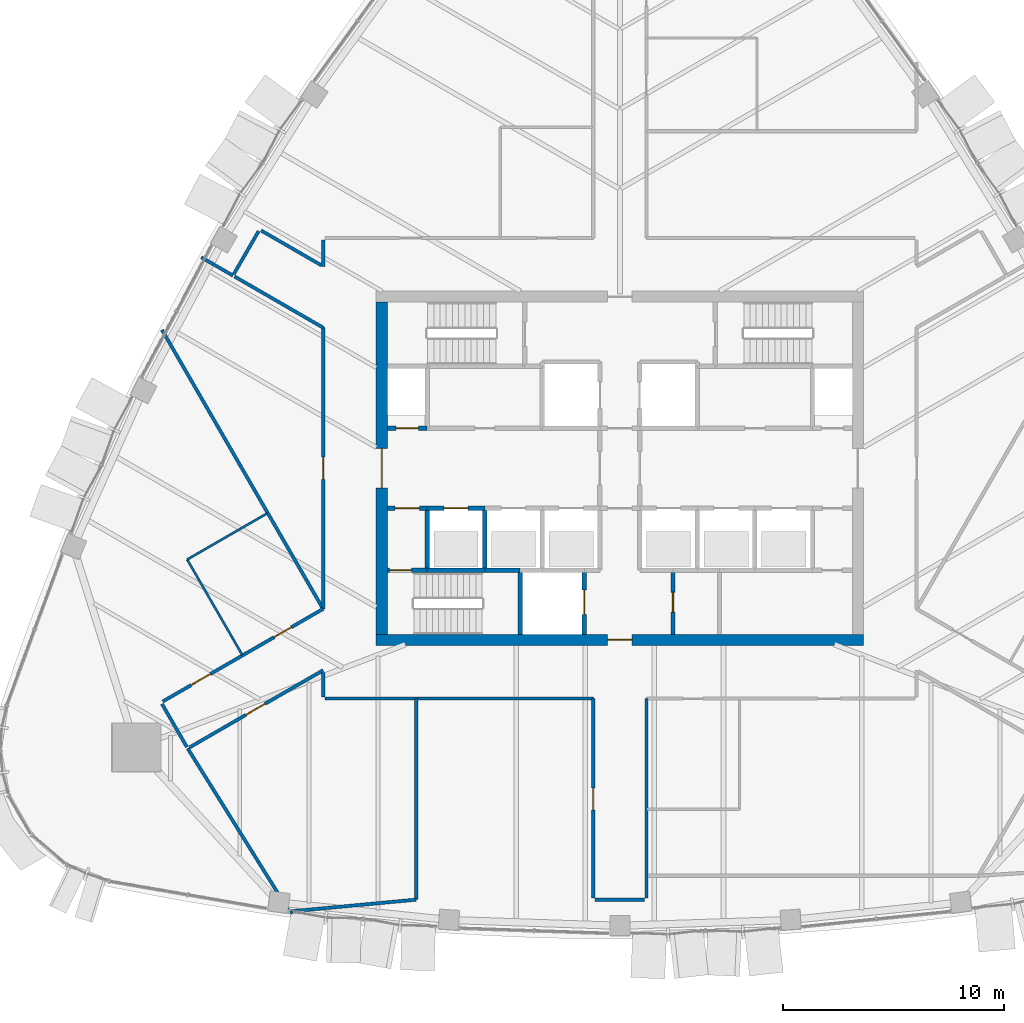
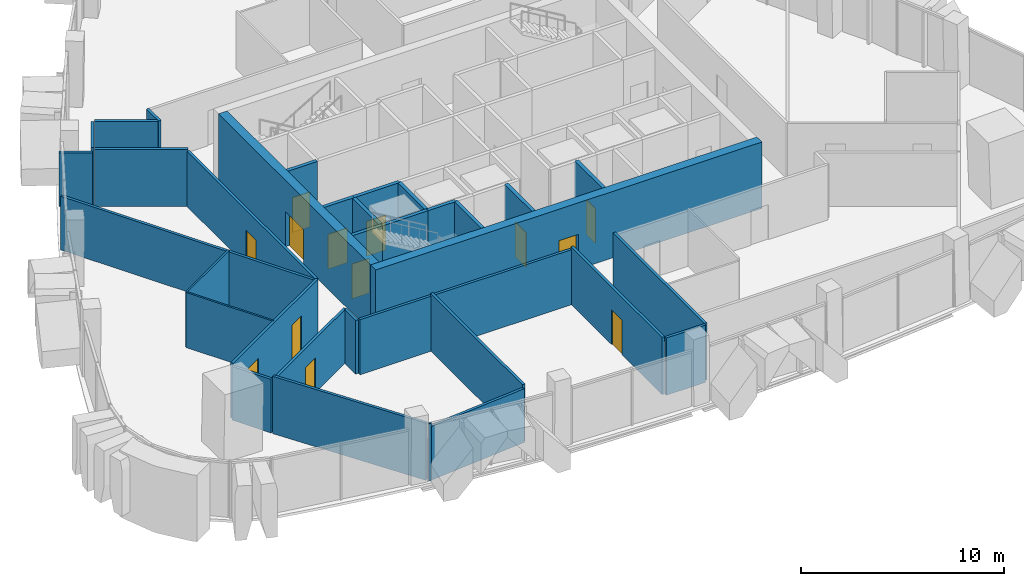
# One storey, part 11 of 18: 34 walls, 13 doors, 13 openings.
"""IFC4 building model written with IfcOpenShell, lengths in metres."""

import ifcopenshell
import ifcopenshell.guid

model = None  # the IFC model being written
_history = None  # IfcOwnerHistory: only IFC2X3 demands one
_inside = {}  # id of a spatial element -> (the spatial element, [elements in it])
_under = {}  # id of a project, library or spatial element -> (it, [spatial elements below it])
_declared = {}  # id of a project -> (the project, [libraries it declares])
_typed = {}  # id of a type object -> (the type object, [elements of that type])
_made_of = {}  # id of a material, layer set ... -> (it, [elements and type objects made of it])


def new_model(schema):
    """Start an empty IFC model of exactly this schema.

    Asked for "IFC4X3", IfcOpenShell would pick the latest addendum, in which some entities
    have other attributes; the version numbers below select the first issue.
    IFC2X3 requires an IfcOwnerHistory on every rooted entity: one is made here for all.
    """
    global model, _history
    if schema == "IFC4X3":
        model = ifcopenshell.file(schema_version=(4, 3, 0, 0))
    else:
        model = ifcopenshell.file(schema=schema)
    _inside.clear()
    _under.clear()
    _declared.clear()
    _typed.clear()
    _made_of.clear()
    _history = None
    if model.schema == "IFC2X3":
        org = make("IfcOrganization", Name="unknown")
        user = make(
            "IfcPersonAndOrganization",
            ThePerson=make("IfcPerson", FamilyName="unknown"),
            TheOrganization=org,
        )
        app = make(
            "IfcApplication",
            ApplicationDeveloper=org,
            Version="unknown",
            ApplicationFullName="unknown",
            ApplicationIdentifier="unknown",
        )
        _history = make(
            "IfcOwnerHistory",
            OwningUser=user,
            OwningApplication=app,
            ChangeAction="ADDED",
            CreationDate=0,
        )
    return model


def make(cls, **values):
    """One entity of the class cls with the attributes given. An attribute that is None is left unset."""
    return model.create_entity(
        cls, **{name: value for name, value in values.items() if value is not None}
    )


def rooted(cls, **values):
    """An entity with a GlobalId (a new one), such as an element, a storey or a relation."""
    return make(cls, GlobalId=ifcopenshell.guid.new(), OwnerHistory=_history, **values)


def si_unit(unit_type, name, prefix=None):
    """IfcSIUnit, for example si_unit("LENGTHUNIT", "METRE", prefix="MILLI")."""
    return make("IfcSIUnit", UnitType=unit_type, Prefix=prefix, Name=name)


def assignment(units):
    """IfcUnitAssignment: the units of a project."""
    return None if units is None else make("IfcUnitAssignment", Units=units)


def point(xyz):
    """IfcCartesianPoint."""
    return None if xyz is None else make("IfcCartesianPoint", Coordinates=xyz)


def direction(xyz):
    """IfcDirection."""
    return None if xyz is None else make("IfcDirection", DirectionRatios=xyz)


def frame(location, z_axis=None, x_axis=None):
    """IfcAxis2Placement3D, a coordinate frame: its origin and axes. An axis left out is left unset."""
    return make(
        "IfcAxis2Placement3D",
        Location=point(location),
        Axis=direction(z_axis),
        RefDirection=direction(x_axis),
    )


def frame_2d(location, x_axis=None):
    """IfcAxis2Placement2D, a coordinate frame in the plane: its origin and x axis."""
    return make(
        "IfcAxis2Placement2D", Location=point(location), RefDirection=direction(x_axis)
    )


def origin():
    """The frame at (0, 0, 0) with its axes left unset."""
    return frame((0.0, 0.0, 0.0))


def place(relative_to, where):
    """IfcLocalPlacement: puts the frame where relative to a parent placement (None: the world)."""
    return make(
        "IfcLocalPlacement", PlacementRelTo=relative_to, RelativePlacement=where
    )


def context(
    kind, dimensions, precision=None, world=None, true_north=None, identifier=None
):
    """IfcGeometricRepresentationContext, for example the 3D "Model" context."""
    return make(
        "IfcGeometricRepresentationContext",
        ContextIdentifier=identifier,
        ContextType=kind,
        CoordinateSpaceDimension=dimensions,
        Precision=precision,
        WorldCoordinateSystem=world,
        TrueNorth=true_north,
    )


def subcontext(parent, identifier, kind, view, scale=None):
    """IfcGeometricRepresentationSubContext, for example "Body" below "Model"."""
    return make(
        "IfcGeometricRepresentationSubContext",
        ContextIdentifier=identifier,
        ContextType=kind,
        ParentContext=parent,
        TargetScale=scale,
        TargetView=view,
    )


def project(units=None, contexts=None):
    """IfcProject with its units and contexts."""
    return rooted(
        "IfcProject",
        Name="project",
        RepresentationContexts=contexts,
        UnitsInContext=assignment(units),
    )


def spatial(cls, under=None, at=None, **own):
    """A site, building, storey or space (cls), placed at a placement, below another one or the project."""
    s = rooted(cls, ObjectPlacement=at, **own)
    if under is not None:
        _under.setdefault(under.id(), (under, []))[1].append(s)
    return s


def profile(cls, at=None, kind="AREA", **sizes):
    """A parametric profile (cls). Its sizes go by their IFC names, for example OverallWidth=200.0."""
    return make(cls, ProfileType=kind, Position=at, **sizes)


def rectangle(**sizes):
    """IfcRectangleProfileDef."""
    return profile("IfcRectangleProfileDef", **sizes)


def extrude(swept, where, along, depth):
    """IfcExtrudedAreaSolid: the profile swept, set in the frame where, extruded along a direction by depth."""
    return make(
        "IfcExtrudedAreaSolid",
        SweptArea=swept,
        Position=where,
        ExtrudedDirection=direction(along),
        Depth=depth,
    )


def shape(context_of_items, identifier, shape_type, items):
    """IfcShapeRepresentation: the items that make up one representation, for example the "Body"."""
    return make(
        "IfcShapeRepresentation",
        ContextOfItems=context_of_items,
        RepresentationIdentifier=identifier,
        RepresentationType=shape_type,
        Items=items,
    )


def material(Name=None, Category=None):
    """IfcMaterial."""
    return make("IfcMaterial", Name=Name, Category=Category)


def layer(
    of_material, thickness, ventilated=None, Name=None, Category=None, Priority=None
):
    """IfcMaterialLayer: one layer of a wall or slab, of a material (None: an air gap)."""
    return make(
        "IfcMaterialLayer",
        Material=of_material,
        LayerThickness=thickness,
        IsVentilated=ventilated,
        Name=Name,
        Category=Category,
        Priority=Priority,
    )


def layer_set(layers, Name=None):
    """IfcMaterialLayerSet."""
    return make("IfcMaterialLayerSet", MaterialLayers=layers, LayerSetName=Name)


def made_of(thing, what):
    """Note that an element or type object is made of a material, layer set ...; save() writes the relation."""
    if what is not None:
        _made_of.setdefault(what.id(), (what, []))[1].append(thing)
    return thing


def type_object(cls, material=None, **own):
    """A type object (cls), such as IfcWallType, which elements share."""
    return made_of(rooted(cls, **own), material)


def element(
    cls,
    number,
    at=None,
    inside=None,
    cuts=None,
    type_object=None,
    material=None,
    context=None,
    identifier="Body",
    shape_type=None,
    held_by="IfcProductDefinitionShape",
    body=None,
    shapes=None,
    **own,
):
    """One element of the class cls, such as IfcWall. Its Tag is "e" and its number.

    at: its placement. inside: the storey or other place that contains it. cuts: it is an
    opening in that element (IfcRelVoidsElement). A single representation is given by context,
    identifier, shape_type and body (its items); several are given by shapes. held_by: the class
    of the entity that holds the representations. save() writes the other relations.
    """
    e = rooted(cls, Tag="e%d" % number, ObjectPlacement=at, **own)
    if body is not None:
        shapes = [shape(context, identifier, shape_type, body)]
    if shapes is not None:
        e.Representation = make(held_by, Representations=shapes)
    if inside is not None:
        _inside.setdefault(inside.id(), (inside, []))[1].append(e)
    if cuts is not None:
        rooted(
            "IfcRelVoidsElement", RelatingBuildingElement=cuts, RelatedOpeningElement=e
        )
    if type_object is not None:
        _typed.setdefault(type_object.id(), (type_object, []))[1].append(e)
    return made_of(e, material)


def fill(opening, filler):
    """IfcRelFillsElement: the door or window that sits in an opening."""
    return rooted(
        "IfcRelFillsElement",
        RelatingOpeningElement=opening,
        RelatedBuildingElement=filler,
    )


def aggregate(whole, parts):
    """IfcRelAggregates: a whole, such as a stair, and the parts it consists of."""
    return rooted("IfcRelAggregates", RelatingObject=whole, RelatedObjects=parts)


def save(model, path):
    """Write the relations noted so far, then the file.

    IfcRelAggregates (storeys below a building ...), IfcRelContainedInSpatialStructure (elements
    in a storey), IfcRelDefinesByType, IfcRelAssociatesMaterial and IfcRelDeclares: one each for
    every whole, place, type object, material and project.
    """
    for whole, parts in _under.values():
        aggregate(whole, parts)
    for where, things in _inside.values():
        rooted(
            "IfcRelContainedInSpatialStructure",
            RelatedElements=things,
            RelatingStructure=where,
        )
    for kind, things in _typed.values():
        rooted("IfcRelDefinesByType", RelatedObjects=things, RelatingType=kind)
    for what, things in _made_of.values():
        rooted("IfcRelAssociatesMaterial", RelatedObjects=things, RelatingMaterial=what)
    for by, libraries in _declared.values():
        rooted("IfcRelDeclares", RelatingContext=by, RelatedDefinitions=libraries)
    model.write(path)


model = new_model("IFC4")

# Units and contexts
model_context = context("Model", 3, precision=1e-05, world=origin(), true_north=direction((0.0, 1.0)))
body_context = subcontext(model_context, "Body", "Model", "MODEL_VIEW")
ifc_project = project(units=[si_unit("LENGTHUNIT", "METRE"), si_unit("AREAUNIT", "SQUARE_METRE"), si_unit("VOLUMEUNIT", "CUBIC_METRE"), si_unit("PLANEANGLEUNIT", "RADIAN"), si_unit("MASSUNIT", "GRAM", prefix="KILO")], contexts=[model_context])

# Site, building, storey
site_placement = place(None, origin())
site = spatial("IfcSite", under=ifc_project, at=site_placement, CompositionType="ELEMENT")
building_placement = place(site_placement, origin())
building = spatial("IfcBuilding", under=site, at=building_placement, Name="Sierra Prisma Convention Tower", CompositionType="ELEMENT")
storey_placement = place(building_placement, frame((0.0, 0.0, 247.0)))
storey = spatial("IfcBuildingStorey", under=building, at=storey_placement, Name="L55", CompositionType="ELEMENT", Elevation=247.0)

# Walls
ifc_material_1 = material(Name="Gypsum board partition", Category="gypsum")
ifc_layer_1 = layer(ifc_material_1, 0.10009765625)
ifc_layer_set_1 = layer_set([ifc_layer_1], Name="Bathroom partition 100")
wall_type_1 = type_object("IfcWallType", Name="Bathroom partition 100", PredefinedType="PARTITIONING", material=ifc_layer_set_1)
wall_1_placement = place(storey_placement, frame((-17.05224609375, -8.4248046875, 0.0), z_axis=(0.0, 0.0, 1.0), x_axis=(-0.500011595943, 0.86601870876, 0.0)))
element("IfcWall", 1, at=wall_1_placement, inside=storey, type_object=wall_type_1, Name="Partition L55 bath 1", PredefinedType="PARTITIONING", context=body_context, shape_type="SweptSolid", body=[
    extrude(rectangle(XDim=4.97021484375, YDim=0.10009765625, at=frame_2d((2.485107421875, 0.0))), origin(), (0.0, 0.0, 1.0), 3.31689453125),
])
wall_2_placement = place(storey_placement, frame((-19.537353515625, -4.12060546875, 0.0), z_axis=(0.0, 0.0, 1.0), x_axis=(0.866029591389, 0.499992746786, 0.0)))
element("IfcWall", 2, at=wall_2_placement, inside=storey, type_object=wall_type_1, Name="Partition L55 bath 2", PredefinedType="PARTITIONING", context=body_context, shape_type="SweptSolid", body=[
    extrude(rectangle(XDim=4.169921875, YDim=0.10009765625, at=frame_2d((2.0849609375, 0.0))), origin(), (0.0, 0.0, 1.0), 3.31689453125),
])

# Wall, opening, door
ifc_material_2 = material(Name="Concrete C30/37", Category="concrete")
ifc_layer_2 = layer(ifc_material_2, 0.199951171875)
ifc_layer_set_2 = layer_set([ifc_layer_2], Name="Core wall RC 200 C30/37")
wall_type_2 = type_object("IfcWallType", Name="Core wall RC 200 C30/37", PredefinedType="SOLIDWALL", material=ifc_layer_set_2)
wall_3_placement = place(storey_placement, frame((-10.5, -4.60009765625, 0.0), z_axis=(0.0, 0.0, 1.0), x_axis=(1.0, 0.0, 0.0)))
wall_3 = element("IfcWall", 3, at=wall_3_placement, inside=storey, type_object=wall_type_2, Name="Core wall L55 1", PredefinedType="SOLIDWALL", context=body_context, shape_type="SweptSolid", body=[
    extrude(rectangle(XDim=1.800048828125, YDim=0.199951171875, at=frame_2d((0.89990234375, 0.0))), origin(), (0.0, 0.0, 1.0), 3.85009765625),
])
opening_1_placement = place(wall_3_placement, frame((0.10009765625, 0.0, 0.0)))
opening_1 = element("IfcOpeningElement", 4, at=opening_1_placement, cuts=wall_3, Name="Opening L55-D017", PredefinedType="OPENING", context=body_context, shape_type="SweptSolid", body=[
    extrude(rectangle(XDim=1.0, YDim=2.10009765625, at=frame_2d((0.5, 1.050048828125))), frame((0.0, 0.10009765625, 0.0), z_axis=(0.0, -1.0, 0.0), x_axis=(1.0, 0.0, 0.0)), (0.0, 0.0, 1.0), 0.199951171875),
])
ifc_material_3 = material(Name="Steel fire door leaf", Category="steel")
door_type_1 = type_object("IfcDoorType", Name="Door 1000x2100 FD90S", OperationType="SINGLE_SWING_LEFT", PredefinedType="DOOR", material=ifc_material_3)
door_1_placement = place(opening_1_placement, origin())
door_1 = element("IfcDoor", 5, at=door_1_placement, inside=storey, type_object=door_type_1, Name="Door L55 32", OperationType="SINGLE_SWING_LEFT", OverallHeight=2.10009765625, OverallWidth=1.0, PredefinedType="DOOR", context=body_context, shape_type="SweptSolid", body=[
    extrude(rectangle(XDim=1.0, YDim=2.10009765625, at=frame_2d((0.5, 1.050048828125))), frame((0.0, 0.02490234375, 0.0), z_axis=(0.0, -1.0, 0.0), x_axis=(1.0, 0.0, 0.0)), (0.0, 0.0, 1.0), 0.050048828125),
])
fill(opening_1, door_1)

wall_4_placement = place(storey_placement, frame((-10.5, -1.800048828125, 0.0), z_axis=(0.0, 0.0, 1.0), x_axis=(1.0, 0.0, 0.0)))
wall_4 = element("IfcWall", 6, at=wall_4_placement, inside=storey, type_object=wall_type_2, Name="Core wall L55 2", PredefinedType="SOLIDWALL", context=body_context, shape_type="SweptSolid", body=[
    extrude(rectangle(XDim=1.800048828125, YDim=0.199951171875, at=frame_2d((0.89990234375, 0.0))), origin(), (0.0, 0.0, 1.0), 3.85009765625),
])
opening_2_placement = place(wall_4_placement, frame((0.35009765625, 0.0, 0.0)))
opening_2 = element("IfcOpeningElement", 7, at=opening_2_placement, cuts=wall_4, Name="Opening L55-D012", PredefinedType="OPENING", context=body_context, shape_type="SweptSolid", body=[
    extrude(rectangle(XDim=1.10009765625, YDim=2.10009765625, at=frame_2d((0.550048828125, 1.050048828125))), frame((0.0, 0.10009765625, 0.0), z_axis=(0.0, -1.0, 0.0), x_axis=(1.0, 0.0, 0.0)), (0.0, 0.0, 1.0), 0.199951171875),
])
ifc_material_4 = material(Name="Steel fire door leaf", Category="steel")
door_type_2 = type_object("IfcDoorType", Name="Door 1100x2100 FD90S", OperationType="SINGLE_SWING_LEFT", PredefinedType="DOOR", material=ifc_material_4)
door_2_placement = place(opening_2_placement, origin())
door_2 = element("IfcDoor", 8, at=door_2_placement, inside=storey, type_object=door_type_2, Name="Door L55 27", OperationType="SINGLE_SWING_RIGHT", OverallHeight=2.10009765625, OverallWidth=1.10009765625, PredefinedType="DOOR", context=body_context, shape_type="SweptSolid", body=[
    extrude(rectangle(XDim=1.10009765625, YDim=2.10009765625, at=frame_2d((0.550048828125, 1.050048828125))), frame((0.0, 0.02490234375, 0.0), z_axis=(0.0, -1.0, 0.0), x_axis=(1.0, 0.0, 0.0)), (0.0, 0.0, 1.0), 0.050048828125),
])
fill(opening_2, door_2)

wall_5_placement = place(storey_placement, frame((-8.699951171875, 1.800048828125, 0.0), z_axis=(0.0, 0.0, 1.0), x_axis=(-1.0, 0.0, 0.0)))
wall_5 = element("IfcWall", 9, at=wall_5_placement, inside=storey, type_object=wall_type_2, Name="Core wall L55 3", PredefinedType="SOLIDWALL", context=body_context, shape_type="SweptSolid", body=[
    extrude(rectangle(XDim=1.800048828125, YDim=0.199951171875, at=frame_2d((0.89990234375, 0.0))), origin(), (0.0, 0.0, 1.0), 3.85009765625),
])
opening_3_placement = place(wall_5_placement, frame((0.39990234375, 0.0, 0.0)))
opening_3 = element("IfcOpeningElement", 10, at=opening_3_placement, cuts=wall_5, Name="Opening L55-D015", PredefinedType="OPENING", context=body_context, shape_type="SweptSolid", body=[
    extrude(rectangle(XDim=1.0, YDim=2.10009765625, at=frame_2d((0.5, 1.050048828125))), frame((0.0, 0.10009765625, 0.0), z_axis=(0.0, -1.0, 0.0), x_axis=(1.0, 0.0, 0.0)), (0.0, 0.0, 1.0), 0.199951171875),
])
ifc_material_5 = material(Name="Steel fire door leaf", Category="steel")
door_type_3 = type_object("IfcDoorType", Name="Door 1000x2100 FD60S", OperationType="SINGLE_SWING_LEFT", PredefinedType="DOOR", material=ifc_material_5)
door_3_placement = place(opening_3_placement, origin())
door_3 = element("IfcDoor", 11, at=door_3_placement, inside=storey, type_object=door_type_3, Name="Door L55 30", OperationType="SINGLE_SWING_RIGHT", OverallHeight=2.10009765625, OverallWidth=1.0, PredefinedType="DOOR", context=body_context, shape_type="SweptSolid", body=[
    extrude(rectangle(XDim=1.0, YDim=2.10009765625, at=frame_2d((0.5, 1.050048828125))), frame((0.0, 0.02490234375, 0.0), z_axis=(0.0, -1.0, 0.0), x_axis=(1.0, 0.0, 0.0)), (0.0, 0.0, 1.0), 0.050048828125),
])
fill(opening_3, door_3)

# Walls
wall_6_placement = place(storey_placement, frame((-8.699951171875, -4.60009765625, 0.0), z_axis=(0.0, 0.0, 1.0), x_axis=(1.0, 0.0, 0.0)))
element("IfcWall", 12, at=wall_6_placement, inside=storey, type_object=wall_type_2, Name="Core wall L55 5", PredefinedType="SOLIDWALL", context=body_context, shape_type="SweptSolid", body=[
    extrude(rectangle(XDim=2.599853515625, YDim=0.199951171875, at=frame_2d((1.2998046875, 0.0))), origin(), (0.0, 0.0, 1.0), 3.85009765625),
])
wall_7_placement = place(storey_placement, frame((-8.699951171875, -4.60009765625, 0.0), z_axis=(0.0, 0.0, 1.0), x_axis=(0.0, 1.0, 0.0)))
element("IfcWall", 13, at=wall_7_placement, inside=storey, type_object=wall_type_2, Name="Core wall L55 6", PredefinedType="SOLIDWALL", context=body_context, shape_type="SweptSolid", body=[
    extrude(rectangle(XDim=2.800048828125, YDim=0.199951171875, at=frame_2d((1.39990234375, 0.0))), origin(), (0.0, 0.0, 1.0), 3.85009765625),
])

# Wall, opening, door
wall_8_placement = place(storey_placement, frame((-8.699951171875, -1.800048828125, 0.0), z_axis=(0.0, 0.0, 1.0), x_axis=(1.0, 0.0, 0.0)))
wall_8 = element("IfcWall", 14, at=wall_8_placement, inside=storey, type_object=wall_type_2, Name="Core wall L55 7", PredefinedType="SOLIDWALL", context=body_context, shape_type="SweptSolid", body=[
    extrude(rectangle(XDim=2.599853515625, YDim=0.199951171875, at=frame_2d((1.2998046875, 0.0))), origin(), (0.0, 0.0, 1.0), 3.85009765625),
])
opening_4_placement = place(wall_8_placement, frame((0.75, 0.0, 0.0)))
opening_4 = element("IfcOpeningElement", 15, at=opening_4_placement, cuts=wall_8, Name="Opening L55-D001", PredefinedType="OPENING", context=body_context, shape_type="SweptSolid", body=[
    extrude(rectangle(XDim=1.10009765625, YDim=2.10009765625, at=frame_2d((0.550048828125, 1.050048828125))), frame((0.0, 0.10009765625, 0.0), z_axis=(0.0, -1.0, 0.0), x_axis=(1.0, 0.0, 0.0)), (0.0, 0.0, 1.0), 0.199951171875),
])
ifc_material_6 = material(Name="Steel fire door leaf", Category="steel")
door_type_4 = type_object("IfcDoorType", Name="Door 1100x2100 EI 90 sliding lift landing", OperationType="SLIDING_TO_LEFT", PredefinedType="DOOR", material=ifc_material_6)
door_4_placement = place(opening_4_placement, origin())
door_4 = element("IfcDoor", 16, at=door_4_placement, inside=storey, type_object=door_type_4, Name="Door L55 16", OperationType="SLIDING_TO_RIGHT", OverallHeight=2.10009765625, OverallWidth=1.10009765625, PredefinedType="DOOR", context=body_context, shape_type="SweptSolid", body=[
    extrude(rectangle(XDim=1.10009765625, YDim=2.10009765625, at=frame_2d((0.550048828125, 1.050048828125))), frame((0.0, 0.02490234375, 0.0), z_axis=(0.0, -1.0, 0.0), x_axis=(1.0, 0.0, 0.0)), (0.0, 0.0, 1.0), 0.050048828125),
])
fill(opening_4, door_4)

# Walls
wall_9_placement = place(storey_placement, frame((-6.10009765625, -4.60009765625, 0.0), z_axis=(0.0, 0.0, 1.0), x_axis=(1.0, 0.0, 0.0)))
element("IfcWall", 17, at=wall_9_placement, inside=storey, type_object=wall_type_2, Name="Core wall L55 11", PredefinedType="SOLIDWALL", context=body_context, shape_type="SweptSolid", body=[
    extrude(rectangle(XDim=1.60009765625, YDim=0.199951171875, at=frame_2d((0.800048828125, 0.0))), origin(), (0.0, 0.0, 1.0), 3.85009765625),
])
wall_10_placement = place(storey_placement, frame((-6.10009765625, -4.60009765625, 0.0), z_axis=(0.0, 0.0, 1.0), x_axis=(0.0, 1.0, 0.0)))
element("IfcWall", 18, at=wall_10_placement, inside=storey, type_object=wall_type_2, Name="Core wall L55 12", PredefinedType="SOLIDWALL", context=body_context, shape_type="SweptSolid", body=[
    extrude(rectangle(XDim=2.800048828125, YDim=0.199951171875, at=frame_2d((1.39990234375, 0.0))), origin(), (0.0, 0.0, 1.0), 3.85009765625),
])
wall_11_placement = place(storey_placement, frame((-4.5, -4.60009765625, 0.0), z_axis=(0.0, 0.0, 1.0), x_axis=(0.0, -1.0, 0.0)))
element("IfcWall", 19, at=wall_11_placement, inside=storey, type_object=wall_type_2, Name="Core wall L55 14", PredefinedType="SOLIDWALL", context=body_context, shape_type="SweptSolid", body=[
    extrude(rectangle(XDim=2.89990234375, YDim=0.199951171875, at=frame_2d((1.449951171875, 0.0))), origin(), (0.0, 0.0, 1.0), 3.85009765625),
])

# Wall, opening, door
wall_12_placement = place(storey_placement, frame((-1.60009765625, -7.5, 0.0), z_axis=(0.0, 0.0, 1.0), x_axis=(0.0, 1.0, 0.0)))
wall_12 = element("IfcWall", 20, at=wall_12_placement, inside=storey, type_object=wall_type_2, Name="Core wall L55 26", PredefinedType="SOLIDWALL", context=body_context, shape_type="SweptSolid", body=[
    extrude(rectangle(XDim=2.89990234375, YDim=0.199951171875, at=frame_2d((1.449951171875, 0.0))), origin(), (0.0, 0.0, 1.0), 3.85009765625),
])
opening_5_placement = place(wall_12_placement, frame((0.89990234375, 0.0, 0.0)))
opening_5 = element("IfcOpeningElement", 21, at=opening_5_placement, cuts=wall_12, Name="Opening L55-D009", PredefinedType="OPENING", context=body_context, shape_type="SweptSolid", body=[
    extrude(rectangle(XDim=1.10009765625, YDim=2.10009765625, at=frame_2d((0.550048828125, 1.050048828125))), frame((0.0, 0.10009765625, 0.0), z_axis=(0.0, -1.0, 0.0), x_axis=(1.0, 0.0, 0.0)), (0.0, 0.0, 1.0), 0.199951171875),
])
door_5_placement = place(opening_5_placement, origin())
door_5 = element("IfcDoor", 22, at=door_5_placement, inside=storey, type_object=door_type_4, Name="Door L55 24", OperationType="SLIDING_TO_LEFT", OverallHeight=2.10009765625, OverallWidth=1.10009765625, PredefinedType="DOOR", context=body_context, shape_type="SweptSolid", body=[
    extrude(rectangle(XDim=1.10009765625, YDim=2.10009765625, at=frame_2d((0.550048828125, 1.050048828125))), frame((0.0, 0.02490234375, 0.0), z_axis=(0.0, -1.0, 0.0), x_axis=(1.0, 0.0, 0.0)), (0.0, 0.0, 1.0), 0.050048828125),
])
fill(opening_5, door_5)

wall_13_placement = place(storey_placement, frame((2.39990234375, -4.60009765625, 0.0), z_axis=(0.0, 0.0, 1.0), x_axis=(0.0, -1.0, 0.0)))
wall_13 = element("IfcWall", 23, at=wall_13_placement, inside=storey, type_object=wall_type_2, Name="Core wall L55 40", PredefinedType="SOLIDWALL", context=body_context, shape_type="SweptSolid", body=[
    extrude(rectangle(XDim=2.89990234375, YDim=0.199951171875, at=frame_2d((1.449951171875, 0.0))), origin(), (0.0, 0.0, 1.0), 3.85009765625),
])
opening_6_placement = place(wall_13_placement, frame((1.0, 0.0, 0.0)))
opening_6 = element("IfcOpeningElement", 24, at=opening_6_placement, cuts=wall_13, Name="Opening L55-D024", PredefinedType="OPENING", context=body_context, shape_type="SweptSolid", body=[
    extrude(rectangle(XDim=0.89990234375, YDim=2.10009765625, at=frame_2d((0.449951171875, 1.050048828125))), frame((0.0, 0.10009765625, 0.0), z_axis=(0.0, -1.0, 0.0), x_axis=(1.0, 0.0, 0.0)), (0.0, 0.0, 1.0), 0.199951171875),
])
ifc_material_7 = material(Name="Steel fire door leaf", Category="steel")
door_type_5 = type_object("IfcDoorType", Name="Door 900x2100 FD30S", OperationType="SINGLE_SWING_LEFT", PredefinedType="DOOR", material=ifc_material_7)
door_6_placement = place(opening_6_placement, origin())
door_6 = element("IfcDoor", 25, at=door_6_placement, inside=storey, type_object=door_type_5, Name="Door L55 39", OperationType="SINGLE_SWING_LEFT", OverallHeight=2.10009765625, OverallWidth=0.89990234375, PredefinedType="DOOR", context=body_context, shape_type="SweptSolid", body=[
    extrude(rectangle(XDim=0.89990234375, YDim=2.10009765625, at=frame_2d((0.449951171875, 1.050048828125))), frame((0.0, 0.02490234375, 0.0), z_axis=(0.0, -1.0, 0.0), x_axis=(1.0, 0.0, 0.0)), (0.0, 0.0, 1.0), 0.050048828125),
])
fill(opening_6, door_6)

ifc_material_8 = material(Name="Concrete C50/60", Category="concrete")
ifc_layer_3 = layer(ifc_material_8, 0.5)
ifc_layer_set_3 = layer_set([ifc_layer_3], Name="Core wall RC 500 C50/60")
wall_type_3 = type_object("IfcWallType", Name="Core wall RC 500 C50/60", PredefinedType="SHEAR", material=ifc_layer_set_3)
wall_14_placement = place(storey_placement, frame((-11.0, -7.75, 0.0), z_axis=(0.0, 0.0, 1.0), x_axis=(1.0, 0.0, 0.0)))
wall_14 = element("IfcWall", 26, at=wall_14_placement, inside=storey, type_object=wall_type_3, Name="Core wall S L55", PredefinedType="SHEAR", context=body_context, shape_type="SweptSolid", body=[
    extrude(rectangle(XDim=22.0, YDim=0.5, at=frame_2d((11.0, 0.0))), origin(), (0.0, 0.0, 1.0), 4.0),
])
opening_7_placement = place(wall_14_placement, frame((10.449951171875, 0.0, 0.0)))
opening_7 = element("IfcOpeningElement", 27, at=opening_7_placement, cuts=wall_14, Name="Opening L55-D042", PredefinedType="OPENING", context=body_context, shape_type="SweptSolid", body=[
    extrude(rectangle(XDim=1.10009765625, YDim=2.10009765625, at=frame_2d((0.550048828125, 1.050048828125))), frame((0.0, 0.25, 0.0), z_axis=(0.0, -1.0, 0.0), x_axis=(1.0, 0.0, 0.0)), (0.0, 0.0, 1.0), 0.5),
])
ifc_material_9 = material(Name="Steel fire door leaf", Category="steel")
door_type_6 = type_object("IfcDoorType", Name="Door 1100x2100 FD30S", OperationType="SINGLE_SWING_LEFT", PredefinedType="DOOR", material=ifc_material_9)
door_7_placement = place(opening_7_placement, origin())
door_7 = element("IfcDoor", 28, at=door_7_placement, inside=storey, type_object=door_type_6, Name="Door L55 43", OperationType="SINGLE_SWING_LEFT", OverallHeight=2.10009765625, OverallWidth=1.10009765625, PredefinedType="DOOR", context=body_context, shape_type="SweptSolid", body=[
    extrude(rectangle(XDim=1.10009765625, YDim=2.10009765625, at=frame_2d((0.550048828125, 1.050048828125))), frame((0.0, 0.02490234375, 0.0), z_axis=(0.0, -1.0, 0.0), x_axis=(1.0, 0.0, 0.0)), (0.0, 0.0, 1.0), 0.050048828125),
])
fill(opening_7, door_7)

wall_15_placement = place(storey_placement, frame((-10.75, -7.5, 0.0), z_axis=(0.0, 0.0, 1.0), x_axis=(0.0, 1.0, 0.0)))
wall_15 = element("IfcWall", 29, at=wall_15_placement, inside=storey, type_object=wall_type_3, Name="Core wall W L55", PredefinedType="SHEAR", context=body_context, shape_type="SweptSolid", body=[
    extrude(rectangle(XDim=15.0, YDim=0.5, at=frame_2d((7.5, 0.0))), origin(), (0.0, 0.0, 1.0), 4.0),
])
opening_8_placement = place(wall_15_placement, frame((6.60009765625, 0.0, 0.0)))
opening_8 = element("IfcOpeningElement", 30, at=opening_8_placement, cuts=wall_15, Name="Opening L55-D043", PredefinedType="OPENING", context=body_context, shape_type="SweptSolid", body=[
    extrude(rectangle(XDim=1.800048828125, YDim=2.10009765625, at=frame_2d((0.89990234375, 1.050048828125))), frame((0.0, 0.25, 0.0), z_axis=(0.0, -1.0, 0.0), x_axis=(1.0, 0.0, 0.0)), (0.0, 0.0, 1.0), 0.5),
])
ifc_material_10 = material(Name="Steel fire door leaf", Category="steel")
door_type_7 = type_object("IfcDoorType", Name="Door 1800x2100 FD60S", OperationType="DOUBLE_DOOR_SINGLE_SWING", PredefinedType="DOOR", material=ifc_material_10)
door_8_placement = place(opening_8_placement, origin())
door_8 = element("IfcDoor", 31, at=door_8_placement, inside=storey, type_object=door_type_7, Name="Door L55 40", OperationType="DOUBLE_DOOR_SINGLE_SWING", OverallHeight=2.10009765625, OverallWidth=1.800048828125, PredefinedType="DOOR", context=body_context, shape_type="SweptSolid", body=[
    extrude(rectangle(XDim=1.800048828125, YDim=2.10009765625, at=frame_2d((0.89990234375, 1.050048828125))), frame((0.0, 0.02490234375, 0.0), z_axis=(0.0, -1.0, 0.0), x_axis=(1.0, 0.0, 0.0)), (0.0, 0.0, 1.0), 0.050048828125),
])
fill(opening_8, door_8)

# Wall
ifc_material_11 = material(Name="Gypsum board partition", Category="gypsum")
ifc_layer_4 = layer(ifc_material_11, 0.14990234375)
ifc_layer_set_4 = layer_set([ifc_layer_4], Name="Corridor wall 150 gypsum EI 60")
wall_type_4 = type_object("IfcWallType", Name="Corridor wall 150 gypsum EI 60", PredefinedType="PARTITIONING", material=ifc_layer_set_4)
wall_16_placement = place(storey_placement, frame((-20.674072265625, -10.642822265625, 0.0), z_axis=(0.0, 0.0, 1.0), x_axis=(0.49994888933, -0.866054910533, 0.0)))
element("IfcWall", 32, at=wall_16_placement, inside=storey, type_object=wall_type_4, Name="Partition L55 corr 1", PredefinedType="PARTITIONING", context=body_context, shape_type="SweptSolid", body=[
    extrude(rectangle(XDim=2.239990234375, YDim=0.14990234375, at=frame_2d((1.1201171875, 0.0))), origin(), (0.0, 0.0, 1.0), 3.23291015625),
])

# Wall, openings, doors
wall_17_placement = place(storey_placement, frame((-13.39990234375, -6.350830078125, 0.0), z_axis=(0.0, 0.0, 1.0), x_axis=(-0.866023751359, -0.500002862074, 0.0)))
wall_17 = element("IfcWall", 33, at=wall_17_placement, inside=storey, type_object=wall_type_4, Name="Partition L55 corr 2", PredefinedType="PARTITIONING", context=body_context, shape_type="SweptSolid", body=[
    extrude(rectangle(XDim=8.36572265625, YDim=0.14990234375, at=frame_2d((4.182861328125, 0.0))), origin(), (0.0, 0.0, 1.0), 3.31689453125),
])
opening_9_placement = place(wall_17_placement, frame((1.64990234375, 0.0, 0.0)))
opening_9 = element("IfcOpeningElement", 34, at=opening_9_placement, cuts=wall_17, Name="Opening L55-D032", PredefinedType="OPENING", context=body_context, shape_type="SweptSolid", body=[
    extrude(rectangle(XDim=0.89990234375, YDim=2.10009765625, at=frame_2d((0.449951171875, 1.050048828125))), frame((0.0, 0.074951171875, 0.0), z_axis=(0.0, -1.0, 0.0), x_axis=(1.0, 0.0, 0.0)), (0.0, 0.0, 1.0), 0.14990234375),
])
opening_10_placement = place(wall_17_placement, frame((5.872802734375, 0.0, 0.0)))
opening_10 = element("IfcOpeningElement", 35, at=opening_10_placement, cuts=wall_17, Name="Opening L55-D033", PredefinedType="OPENING", context=body_context, shape_type="SweptSolid", body=[
    extrude(rectangle(XDim=1.0, YDim=2.10009765625, at=frame_2d((0.5, 1.050048828125))), frame((0.0, 0.074951171875, 0.0), z_axis=(0.0, -1.0, 0.0), x_axis=(1.0, 0.0, 0.0)), (0.0, 0.0, 1.0), 0.14990234375),
])
ifc_material_12 = material(Name="Steel fire door leaf", Category="steel")
door_type_8 = type_object("IfcDoorType", Name="Door 1000x2100 FD30S", OperationType="SINGLE_SWING_LEFT", PredefinedType="DOOR", material=ifc_material_12)
door_9_placement = place(opening_10_placement, origin())
door_9 = element("IfcDoor", 36, at=door_9_placement, inside=storey, type_object=door_type_8, Name="Door L55 9", OperationType="SINGLE_SWING_LEFT", OverallHeight=2.10009765625, OverallWidth=1.0, PredefinedType="DOOR", context=body_context, shape_type="SweptSolid", body=[
    extrude(rectangle(XDim=1.0, YDim=2.10009765625, at=frame_2d((0.5, 1.050048828125))), frame((0.0, 0.02490234375, 0.0), z_axis=(0.0, -1.0, 0.0), x_axis=(1.0, 0.0, 0.0)), (0.0, 0.0, 1.0), 0.050048828125),
])
fill(opening_10, door_9)
door_10_placement = place(opening_9_placement, origin())
door_10 = element("IfcDoor", 37, at=door_10_placement, inside=storey, type_object=door_type_5, Name="Door L55 8", OperationType="SINGLE_SWING_RIGHT", OverallHeight=2.10009765625, OverallWidth=0.89990234375, PredefinedType="DOOR", context=body_context, shape_type="SweptSolid", body=[
    extrude(rectangle(XDim=0.89990234375, YDim=2.10009765625, at=frame_2d((0.449951171875, 1.050048828125))), frame((0.0, 0.02490234375, 0.0), z_axis=(0.0, -1.0, 0.0), x_axis=(1.0, 0.0, 0.0)), (0.0, 0.0, 1.0), 0.050048828125),
])
fill(opening_9, door_10)

# Wall, opening, door
wall_18_placement = place(storey_placement, frame((-19.44482421875, -12.612060546875, 0.0), z_axis=(0.0, 0.0, 1.0), x_axis=(0.866028321769, 0.499994945868, 0.0)))
wall_18 = element("IfcWall", 38, at=wall_18_placement, inside=storey, type_object=wall_type_4, Name="Partition L55 corr 3", PredefinedType="PARTITIONING", context=body_context, shape_type="SweptSolid", body=[
    extrude(rectangle(XDim=6.97998046875, YDim=0.14990234375, at=frame_2d((3.489990234375, 0.0))), origin(), (0.0, 0.0, 1.0), 3.23291015625),
])
opening_11_placement = place(wall_18_placement, frame((2.949951171875, 0.0, 0.0)))
opening_11 = element("IfcOpeningElement", 39, at=opening_11_placement, cuts=wall_18, Name="Opening L55-D034", PredefinedType="OPENING", context=body_context, shape_type="SweptSolid", body=[
    extrude(rectangle(XDim=1.0, YDim=2.10009765625, at=frame_2d((0.5, 1.050048828125))), frame((0.0, 0.074951171875, 0.0), z_axis=(0.0, -1.0, 0.0), x_axis=(1.0, 0.0, 0.0)), (0.0, 0.0, 1.0), 0.14990234375),
])
door_11_placement = place(opening_11_placement, origin())
door_11 = element("IfcDoor", 40, at=door_11_placement, inside=storey, type_object=door_type_8, Name="Door L55 10", OperationType="SINGLE_SWING_LEFT", OverallHeight=2.10009765625, OverallWidth=1.0, PredefinedType="DOOR", context=body_context, shape_type="SweptSolid", body=[
    extrude(rectangle(XDim=1.0, YDim=2.10009765625, at=frame_2d((0.5, 1.050048828125))), frame((0.0, 0.02490234375, 0.0), z_axis=(0.0, -1.0, 0.0), x_axis=(1.0, 0.0, 0.0)), (0.0, 0.0, 1.0), 0.050048828125),
])
fill(opening_11, door_11)

# Walls
wall_19_placement = place(storey_placement, frame((-13.39990234375, -9.213623046875, 0.0), z_axis=(0.0, 0.0, 1.0), x_axis=(0.0, -1.0, 0.0)))
element("IfcWall", 41, at=wall_19_placement, inside=storey, type_object=wall_type_4, Name="Partition L55 corr 4", PredefinedType="PARTITIONING", context=body_context, shape_type="SweptSolid", body=[
    extrude(rectangle(XDim=1.1064453125, YDim=0.14990234375, at=frame_2d((0.55322265625, 0.0))), origin(), (0.0, 0.0, 1.0), 3.23291015625),
])
wall_20_placement = place(storey_placement, frame((-16.310302734375, 10.7099609375, 0.0), z_axis=(0.0, 0.0, 1.0), x_axis=(-0.49994888933, -0.866054910533, 0.0)))
element("IfcWall", 42, at=wall_20_placement, inside=storey, type_object=wall_type_4, Name="Partition L55 corr 5", PredefinedType="PARTITIONING", context=body_context, shape_type="SweptSolid", body=[
    extrude(rectangle(XDim=2.239990234375, YDim=0.14990234375, at=frame_2d((1.1201171875, 0.0))), origin(), (0.0, 0.0, 1.0), 3.449951171875),
])
wall_21_placement = place(storey_placement, frame((-17.40087890625, 8.660888671875, 0.0), z_axis=(0.0, 0.0, 1.0), x_axis=(0.866016621662, -0.500015210774, 0.0)))
element("IfcWall", 43, at=wall_21_placement, inside=storey, type_object=wall_type_4, Name="Partition L55 corr 6", PredefinedType="PARTITIONING", context=body_context, shape_type="SweptSolid", body=[
    extrude(rectangle(XDim=4.619873046875, YDim=0.14990234375, at=frame_2d((2.31005859375, 0.0))), origin(), (0.0, 0.0, 1.0), 3.449951171875),
])

# Wall, opening, door
wall_22_placement = place(storey_placement, frame((-13.39990234375, 6.350830078125, 0.0), z_axis=(0.0, 0.0, 1.0), x_axis=(0.0, -1.0, 0.0)))
wall_22 = element("IfcWall", 44, at=wall_22_placement, inside=storey, type_object=wall_type_4, Name="Partition L55 corr 7", PredefinedType="PARTITIONING", context=body_context, shape_type="SweptSolid", body=[
    extrude(rectangle(XDim=12.70166015625, YDim=0.14990234375, at=frame_2d((6.350830078125, 0.0))), origin(), (0.0, 0.0, 1.0), 3.31689453125),
])
opening_12_placement = place(wall_22_placement, frame((5.850830078125, 0.0, 0.0)))
opening_12 = element("IfcOpeningElement", 45, at=opening_12_placement, cuts=wall_22, Name="Opening L55-D031", PredefinedType="OPENING", context=body_context, shape_type="SweptSolid", body=[
    extrude(rectangle(XDim=1.0, YDim=2.10009765625, at=frame_2d((0.5, 1.050048828125))), frame((0.0, 0.074951171875, 0.0), z_axis=(0.0, -1.0, 0.0), x_axis=(1.0, 0.0, 0.0)), (0.0, 0.0, 1.0), 0.14990234375),
])
door_12_placement = place(opening_12_placement, origin())
door_12 = element("IfcDoor", 46, at=door_12_placement, inside=storey, type_object=door_type_8, Name="Door L55 7", OperationType="SINGLE_SWING_RIGHT", OverallHeight=2.10009765625, OverallWidth=1.0, PredefinedType="DOOR", context=body_context, shape_type="SweptSolid", body=[
    extrude(rectangle(XDim=1.0, YDim=2.10009765625, at=frame_2d((0.5, 1.050048828125))), frame((0.0, 0.02490234375, 0.0), z_axis=(0.0, -1.0, 0.0), x_axis=(1.0, 0.0, 0.0)), (0.0, 0.0, 1.0), 0.050048828125),
])
fill(opening_12, door_12)

# Walls
wall_23_placement = place(storey_placement, frame((-13.39990234375, 10.320068359375, 0.0), z_axis=(0.0, 0.0, 1.0), x_axis=(0.0, -1.0, 0.0)))
element("IfcWall", 47, at=wall_23_placement, inside=storey, type_object=wall_type_4, Name="Partition L55 corr 8", PredefinedType="PARTITIONING", context=body_context, shape_type="SweptSolid", body=[
    extrude(rectangle(XDim=1.197998046875, YDim=0.14990234375, at=frame_2d((0.59912109375, 0.0))), origin(), (0.0, 0.0, 1.0), 3.449951171875),
])
wall_24_placement = place(storey_placement, frame((-13.479248046875, 9.16796875, 0.0), z_axis=(0.0, 0.0, 1.0), x_axis=(-0.866035522163, 0.499982474044, 0.0)))
element("IfcWall", 48, at=wall_24_placement, inside=storey, type_object=wall_type_4, Name="Partition L55 corr 9", PredefinedType="PARTITIONING", context=body_context, shape_type="SweptSolid", body=[
    extrude(rectangle(XDim=3.142578125, YDim=0.14990234375, at=frame_2d((1.5712890625, 0.0))), origin(), (0.0, 0.0, 1.0), 3.449951171875),
])
wall_25_placement = place(storey_placement, frame((-13.320068359375, -10.39990234375, 0.0), z_axis=(0.0, 0.0, 1.0), x_axis=(1.0, 0.0, 0.0)))
element("IfcWall", 49, at=wall_25_placement, inside=storey, type_object=wall_type_4, Name="Partition L55 corr 10", PredefinedType="PARTITIONING", context=body_context, shape_type="SweptSolid", body=[
    extrude(rectangle(XDim=12.1201171875, YDim=0.14990234375, at=frame_2d((6.06005859375, 0.0))), origin(), (0.0, 0.0, 1.0), 3.31689453125),
])

# Wall, opening, door
wall_26_placement = place(storey_placement, frame((-1.199951171875, -10.39990234375, 0.0), z_axis=(0.0, 0.0, 1.0), x_axis=(0.0, -1.0, 0.0)))
wall_26 = element("IfcWall", 50, at=wall_26_placement, inside=storey, type_object=wall_type_4, Name="Partition L55 corr 11", PredefinedType="PARTITIONING", context=body_context, shape_type="SweptSolid", body=[
    extrude(rectangle(XDim=9.0, YDim=0.14990234375, at=frame_2d((4.5, 0.0))), origin(), (0.0, 0.0, 1.0), 3.449951171875),
])
opening_13_placement = place(wall_26_placement, frame((4.0400390625, 0.0, 0.0)))
opening_13 = element("IfcOpeningElement", 51, at=opening_13_placement, cuts=wall_26, Name="Opening L55-D035", PredefinedType="OPENING", context=body_context, shape_type="SweptSolid", body=[
    extrude(rectangle(XDim=1.0, YDim=2.10009765625, at=frame_2d((0.5, 1.050048828125))), frame((0.0, 0.074951171875, 0.0), z_axis=(0.0, -1.0, 0.0), x_axis=(1.0, 0.0, 0.0)), (0.0, 0.0, 1.0), 0.14990234375),
])
door_13_placement = place(opening_13_placement, origin())
door_13 = element("IfcDoor", 52, at=door_13_placement, inside=storey, type_object=door_type_8, Name="Door L55 11", OperationType="SINGLE_SWING_RIGHT", OverallHeight=2.10009765625, OverallWidth=1.0, PredefinedType="DOOR", context=body_context, shape_type="SweptSolid", body=[
    extrude(rectangle(XDim=1.0, YDim=2.10009765625, at=frame_2d((0.5, 1.050048828125))), frame((0.0, 0.02490234375, 0.0), z_axis=(0.0, -1.0, 0.0), x_axis=(1.0, 0.0, 0.0)), (0.0, 0.0, 1.0), 0.050048828125),
])
fill(opening_13, door_13)

# Walls
wall_27_placement = place(storey_placement, frame((-1.1201171875, -19.47998046875, 0.0), z_axis=(0.0, 0.0, 1.0), x_axis=(1.0, 0.0, 0.0)))
element("IfcWall", 53, at=wall_27_placement, inside=storey, type_object=wall_type_4, Name="Partition L55 corr 14", PredefinedType="PARTITIONING", context=body_context, shape_type="SweptSolid", body=[
    extrude(rectangle(XDim=2.240234375, YDim=0.14990234375, at=frame_2d((1.1201171875, 0.0))), origin(), (0.0, 0.0, 1.0), 3.449951171875),
])
wall_28_placement = place(storey_placement, frame((1.199951171875, -19.39990234375, 0.0), z_axis=(0.0, 0.0, 1.0), x_axis=(0.0, 1.0, 0.0)))
element("IfcWall", 54, at=wall_28_placement, inside=storey, type_object=wall_type_4, Name="Partition L55 corr 16", PredefinedType="PARTITIONING", context=body_context, shape_type="SweptSolid", body=[
    extrude(rectangle(XDim=9.0, YDim=0.14990234375, at=frame_2d((4.5, 0.0))), origin(), (0.0, 0.0, 1.0), 3.449951171875),
])
ifc_material_13 = material(Name="Gypsum board partition", Category="gypsum")
ifc_layer_5 = layer(ifc_material_13, 0.14990234375)
ifc_layer_set_5 = layer_set([ifc_layer_5], Name="Party wall 150 gypsum")
wall_type_5 = type_object("IfcWallType", Name="Party wall 150 gypsum", PredefinedType="PARTITIONING", material=ifc_layer_set_5)
wall_29_placement = place(storey_placement, frame((-13.39990234375, -6.350830078125, 0.0), z_axis=(0.0, 0.0, 1.0), x_axis=(-0.500013935967, 0.8660173577, 0.0)))
element("IfcWall", 55, at=wall_29_placement, inside=storey, type_object=wall_type_5, Name="Partition L55 party 1", PredefinedType="PARTITIONING", context=body_context, shape_type="SweptSolid", body=[
    extrude(rectangle(XDim=14.548828125, YDim=0.14990234375, at=frame_2d((7.2744140625, 0.0))), origin(), (0.0, 0.0, 1.0), 3.23388671875),
])
wall_30_placement = place(storey_placement, frame((-19.51416015625, -12.652099609375, 0.0), z_axis=(0.0, 0.0, 1.0), x_axis=(0.529109501503, -0.848553554833, 0.0)))
element("IfcWall", 56, at=wall_30_placement, inside=storey, type_object=wall_type_5, Name="Partition L55 party 2", PredefinedType="PARTITIONING", context=body_context, shape_type="SweptSolid", body=[
    extrude(rectangle(XDim=8.564453125, YDim=0.14990234375, at=frame_2d((4.2822265625, 0.0))), origin(), (0.0, 0.0, 1.0), 3.449951171875),
])
wall_31_placement = place(storey_placement, frame((-17.47021484375, 8.70068359375, 0.0), z_axis=(0.0, 0.0, 1.0), x_axis=(-0.866003217194, 0.500038426333, 0.0)))
element("IfcWall", 57, at=wall_31_placement, inside=storey, type_object=wall_type_5, Name="Partition L55 party 3", PredefinedType="PARTITIONING", context=body_context, shape_type="SweptSolid", body=[
    extrude(rectangle(XDim=1.649658203125, YDim=0.14990234375, at=frame_2d((0.82470703125, 0.0))), origin(), (0.0, 0.0, 1.0), 3.23388671875),
])
wall_32_placement = place(storey_placement, frame((-9.199951171875, -10.39990234375, 0.0), z_axis=(0.0, 0.0, 1.0), x_axis=(0.0, -1.0, 0.0)))
element("IfcWall", 58, at=wall_32_placement, inside=storey, type_object=wall_type_5, Name="Partition L55 party 4", PredefinedType="PARTITIONING", context=body_context, shape_type="SweptSolid", body=[
    extrude(rectangle(XDim=9.080078125, YDim=0.14990234375, at=frame_2d((4.5400390625, 0.0))), origin(), (0.0, 0.0, 1.0), 3.449951171875),
])
wall_33_placement = place(storey_placement, frame((-9.199951171875, -19.47998046875, 0.0), z_axis=(0.0, 0.0, 1.0), x_axis=(-0.995665878054, -0.093002469213, 0.0)))
element("IfcWall", 59, at=wall_33_placement, inside=storey, type_object=wall_type_5, Name="Partition L55 party 5", PredefinedType="PARTITIONING", context=body_context, shape_type="SweptSolid", body=[
    extrude(rectangle(XDim=5.656982421875, YDim=0.14990234375, at=frame_2d((2.82861328125, 0.0))), origin(), (0.0, 0.0, 1.0), 3.23388671875),
])
wall_34_placement = place(storey_placement, frame((-14.882568359375, -20.0927734375, 0.0), z_axis=(0.0, 0.0, 1.0), x_axis=(0.467358739114, 0.884067762659, 0.0)))
element("IfcWall", 60, at=wall_34_placement, inside=storey, type_object=wall_type_5, Name="Partition L55 party 6", PredefinedType="PARTITIONING", context=body_context, shape_type="SweptSolid", body=[
    extrude(rectangle(XDim=0.10595703125, YDim=0.14990234375, at=frame_2d((0.052978515625, 0.0))), origin(), (0.0, 0.0, 1.0), 3.449951171875),
])

save(model, "model.ifc")
